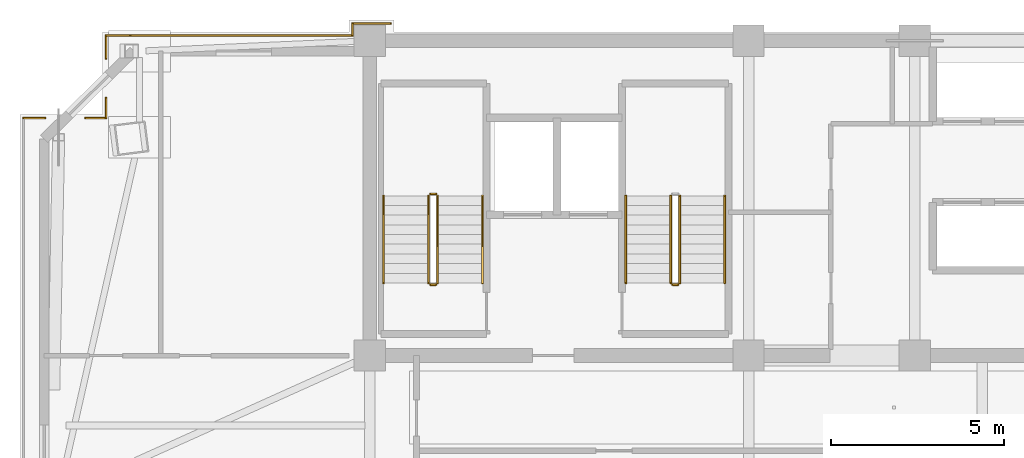
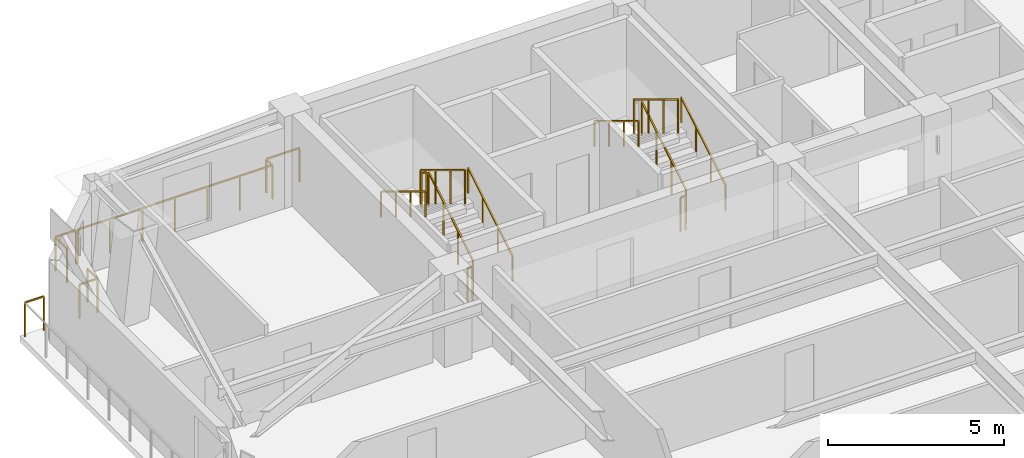
# One storey, part 12 of 14: 19 railings.
"""IFC4 building model written with IfcOpenShell, lengths in metres."""

from ifc_helpers import new_model, si_unit, direction, frame, origin, origin_2d, place, context, subcontext, project, spatial, rectangle, extrude, material, type_object, element, save


model = new_model("IFC4")

# Units and contexts
model_context = context("Model", 3, precision=1e-05, world=origin(), true_north=direction((0.0, 1.0)))
body_context = subcontext(model_context, "Body", "Model", "MODEL_VIEW")
ifc_project = project(units=[si_unit("LENGTHUNIT", "METRE"), si_unit("AREAUNIT", "SQUARE_METRE"), si_unit("VOLUMEUNIT", "CUBIC_METRE"), si_unit("PLANEANGLEUNIT", "RADIAN"), si_unit("MASSUNIT", "GRAM", prefix="KILO")], contexts=[model_context])

# Site, building, storey
site_placement = place(None, origin())
site = spatial("IfcSite", under=ifc_project, at=site_placement, CompositionType="ELEMENT")
building_placement = place(site_placement, origin())
building = spatial("IfcBuilding", under=site, at=building_placement, Name="Giltprow Tower", CompositionType="ELEMENT")
storey_placement = place(building_placement, frame((0.0, 0.0, 310.800048828125)))
storey = spatial("IfcBuildingStorey", under=building, at=storey_placement, Name="L80", CompositionType="ELEMENT", Elevation=310.800048828125)

# Railings
ifc_material = material(Name="Anodized bronze", Category="metal")
railing_type_1 = type_object("IfcRailingType", Name="RAIL-BALC-GUARD-1200", PredefinedType="BALUSTRADE", material=ifc_material)
railing_1_placement = place(storey_placement, frame((9.840087890625, 44.31494140625, 0.0)))
element("IfcRailing", 1, at=railing_1_placement, inside=storey, type_object=railing_type_1, Name="L80 Corner Apron Edge Balustrade 14", PredefinedType="BALUSTRADE", context=body_context, shape_type="SweptSolid", body=[
    extrude(rectangle(XDim=0.048095703125, YDim=0.048095703125, at=origin_2d()), frame((0.0, 0.0, 1.17578125), z_axis=(1.0, 0.0, 0.0), x_axis=(0.0, 1.0, 0.0)), (0.0, 0.0, 1.0), 0.6259765625),
    extrude(rectangle(XDim=0.0419921875, YDim=0.0419921875, at=origin_2d()), origin(), (0.0, 0.0, 1.0), 1.15185546875),
    extrude(rectangle(XDim=0.0419921875, YDim=0.0419921875, at=origin_2d()), frame((0.6259765625, 0.0, 0.0)), (0.0, 0.0, 1.0), 1.15185546875),
])
railing_2_placement = place(storey_placement, frame((11.636962890625, 44.31494140625, 0.0)))
element("IfcRailing", 2, at=railing_2_placement, inside=storey, type_object=railing_type_1, Name="L80 Corner Apron Edge Balustrade 15", PredefinedType="BALUSTRADE", context=body_context, shape_type="SweptSolid", body=[
    extrude(rectangle(XDim=0.048095703125, YDim=0.048095703125, at=origin_2d()), frame((0.0, 0.0, 1.17578125), z_axis=(1.0, 0.0, 0.0), x_axis=(0.0, 1.0, 0.0)), (0.0, 0.0, 1.0), 0.588134765625),
    extrude(rectangle(XDim=0.0419921875, YDim=0.0419921875, at=origin_2d()), origin(), (0.0, 0.0, 1.0), 1.15185546875),
    extrude(rectangle(XDim=0.0419921875, YDim=0.0419921875, at=origin_2d()), frame((0.588134765625, 0.0, 0.0)), (0.0, 0.0, 1.0), 1.15185546875),
])
railing_3_placement = place(storey_placement, frame((12.22509765625, 44.31494140625, 0.0)))
element("IfcRailing", 3, at=railing_3_placement, inside=storey, type_object=railing_type_1, Name="L80 Corner Apron Edge Balustrade 16", PredefinedType="BALUSTRADE", context=body_context, shape_type="SweptSolid", body=[
    extrude(rectangle(XDim=0.048095703125, YDim=0.048095703125, at=origin_2d()), frame((0.0, 0.0, 1.17578125), z_axis=(0.0, 1.0, 0.0), x_axis=(-1.0, 0.0, 0.0)), (0.0, 0.0, 1.0), 0.576171875),
    extrude(rectangle(XDim=0.0419921875, YDim=0.0419921875, at=origin_2d()), origin(), (0.0, 0.0, 1.0), 1.15185546875),
    extrude(rectangle(XDim=0.0419921875, YDim=0.0419921875, at=origin_2d()), frame((0.0, 0.576171875, 0.0)), (0.0, 0.0, 1.0), 1.15185546875),
])
railing_4_placement = place(storey_placement, frame((12.22509765625, 46.0400390625, 0.0)))
element("IfcRailing", 4, at=railing_4_placement, inside=storey, type_object=railing_type_1, Name="L80 Corner Apron Edge Balustrade 17", PredefinedType="BALUSTRADE", context=body_context, shape_type="SweptSolid", body=[
    extrude(rectangle(XDim=0.048095703125, YDim=0.048095703125, at=origin_2d()), frame((0.0, 0.0, 1.17578125), z_axis=(0.0, 1.0, 0.0), x_axis=(-1.0, 0.0, 0.0)), (0.0, 0.0, 1.0), 0.659912109375),
    extrude(rectangle(XDim=0.0419921875, YDim=0.0419921875, at=origin_2d()), origin(), (0.0, 0.0, 1.0), 1.15185546875),
    extrude(rectangle(XDim=0.0419921875, YDim=0.0419921875, at=origin_2d()), frame((0.0, 0.659912109375, 0.0)), (0.0, 0.0, 1.0), 1.15185546875),
])
railing_5_placement = place(storey_placement, frame((12.22509765625, 46.699951171875, 0.0)))
element("IfcRailing", 5, at=railing_5_placement, inside=storey, type_object=railing_type_1, Name="L80 Corner Apron Edge Balustrade 18", PredefinedType="BALUSTRADE", context=body_context, shape_type="SweptSolid", body=[
    extrude(rectangle(XDim=0.048095703125, YDim=0.048095703125, at=origin_2d()), frame((0.0, 0.0, 1.17578125), z_axis=(1.0, 0.0, 0.0), x_axis=(0.0, 1.0, 0.0)), (0.0, 0.0, 1.0), 0.6728515625),
    extrude(rectangle(XDim=0.0419921875, YDim=0.0419921875, at=origin_2d()), origin(), (0.0, 0.0, 1.0), 1.15185546875),
    extrude(rectangle(XDim=0.0419921875, YDim=0.0419921875, at=origin_2d()), frame((0.6728515625, 0.0, 0.0)), (0.0, 0.0, 1.0), 1.15185546875),
])
railing_6_placement = place(storey_placement, frame((12.947998046875, 46.699951171875, 0.0)))
element("IfcRailing", 6, at=railing_6_placement, inside=storey, type_object=railing_type_1, Name="L80 Corner Apron Edge Balustrade 19", PredefinedType="BALUSTRADE", context=body_context, shape_type="SweptSolid", body=[
    extrude(rectangle(XDim=0.048095703125, YDim=0.048095703125, at=origin_2d()), frame((0.0, 0.0, 1.17578125), z_axis=(1.0, 0.0, 0.0), x_axis=(0.0, 1.0, 0.0)), (0.0, 0.0, 1.0), 6.402099609375),
    extrude(rectangle(XDim=0.0419921875, YDim=0.0419921875, at=origin_2d()), origin(), (0.0, 0.0, 1.0), 1.15185546875),
    extrude(rectangle(XDim=0.0419921875, YDim=0.0419921875, at=origin_2d()), frame((1.06689453125, 0.0, 0.0)), (0.0, 0.0, 1.0), 1.15185546875),
    extrude(rectangle(XDim=0.0419921875, YDim=0.0419921875, at=origin_2d()), frame((2.134033203125, 0.0, 0.0)), (0.0, 0.0, 1.0), 1.15185546875),
    extrude(rectangle(XDim=0.0419921875, YDim=0.0419921875, at=origin_2d()), frame((3.201171875, 0.0, 0.0)), (0.0, 0.0, 1.0), 1.15185546875),
    extrude(rectangle(XDim=0.0419921875, YDim=0.0419921875, at=origin_2d()), frame((4.26806640625, 0.0, 0.0)), (0.0, 0.0, 1.0), 1.15185546875),
    extrude(rectangle(XDim=0.0419921875, YDim=0.0419921875, at=origin_2d()), frame((5.3349609375, 0.0, 0.0)), (0.0, 0.0, 1.0), 1.15185546875),
    extrude(rectangle(XDim=0.0419921875, YDim=0.0419921875, at=origin_2d()), frame((6.402099609375, 0.0, 0.0)), (0.0, 0.0, 1.0), 1.15185546875),
])
railing_7_placement = place(storey_placement, frame((19.35009765625, 46.699951171875, 0.0)))
element("IfcRailing", 7, at=railing_7_placement, inside=storey, type_object=railing_type_1, Name="L80 Corner Apron Edge Balustrade 20", PredefinedType="BALUSTRADE", context=body_context, shape_type="SweptSolid", body=[
    extrude(rectangle(XDim=0.048095703125, YDim=0.048095703125, at=origin_2d()), frame((0.0, 0.0, 1.17578125), z_axis=(0.0, 1.0, 0.0), x_axis=(-1.0, 0.0, 0.0)), (0.0, 0.0, 1.0), 0.35009765625),
    extrude(rectangle(XDim=0.0419921875, YDim=0.0419921875, at=origin_2d()), origin(), (0.0, 0.0, 1.0), 1.15185546875),
    extrude(rectangle(XDim=0.0419921875, YDim=0.0419921875, at=origin_2d()), frame((0.0, 0.35009765625, 0.0)), (0.0, 0.0, 1.0), 1.15185546875),
])
railing_8_placement = place(storey_placement, frame((19.35009765625, 47.050048828125, 0.0)))
element("IfcRailing", 8, at=railing_8_placement, inside=storey, type_object=railing_type_1, Name="L80 Corner Apron Edge Balustrade 21", PredefinedType="BALUSTRADE", context=body_context, shape_type="SweptSolid", body=[
    extrude(rectangle(XDim=0.048095703125, YDim=0.048095703125, at=origin_2d()), frame((0.0, 0.0, 1.17578125), z_axis=(1.0, 0.0, 0.0), x_axis=(0.0, 1.0, 0.0)), (0.0, 0.0, 1.0), 1.099853515625),
    extrude(rectangle(XDim=0.0419921875, YDim=0.0419921875, at=origin_2d()), origin(), (0.0, 0.0, 1.0), 1.15185546875),
    extrude(rectangle(XDim=0.0419921875, YDim=0.0419921875, at=origin_2d()), frame((1.099853515625, 0.0, 0.0)), (0.0, 0.0, 1.0), 1.15185546875),
])
railing_type_2 = type_object("IfcRailingType", Name="RAIL-STAIR-GUARD-1200", PredefinedType="GUARDRAIL", material=ifc_material)
railing_9_placement = place(storey_placement, frame((21.81005859375, 39.550048828125, 0.169921875)))
element("IfcRailing", 9, at=railing_9_placement, inside=storey, type_object=railing_type_2, Name="L80 ST-1 stair guard 1", PredefinedType="GUARDRAIL", context=body_context, shape_type="SweptSolid", body=[
    extrude(rectangle(XDim=0.048095703125, YDim=0.048095703125, at=origin_2d()), frame((0.0, 0.0, 1.17578125), z_axis=(0.0, 0.85478489116, 0.518982456201), x_axis=(-1.0, 0.0, 0.0)), (0.0, 0.0, 1.0), 2.9482421875),
    extrude(rectangle(XDim=0.0419921875, YDim=0.0419921875, at=origin_2d()), origin(), (0.0, 0.0, 1.0), 1.15185546875),
    extrude(rectangle(XDim=0.0419921875, YDim=0.0419921875, at=origin_2d()), frame((0.0, 0.840087890625, 0.510009765625)), (0.0, 0.0, 1.0), 1.15185546875),
    extrude(rectangle(XDim=0.0419921875, YDim=0.0419921875, at=origin_2d()), frame((0.0, 1.679931640625, 1.02001953125)), (0.0, 0.0, 1.0), 1.15185546875),
    extrude(rectangle(XDim=0.0419921875, YDim=0.0419921875, at=origin_2d()), frame((0.0, 2.52001953125, 1.530029296875)), (0.0, 0.0, 1.0), 1.15185546875),
])
railing_10_placement = place(storey_placement, frame((21.760009765625, 42.1201171875, 1.699951171875)))
element("IfcRailing", 10, at=railing_10_placement, inside=storey, type_object=railing_type_2, Name="L80 ST-1 stair guard 2", PredefinedType="GUARDRAIL", context=body_context, shape_type="SweptSolid", body=[
    extrude(rectangle(XDim=0.048095703125, YDim=0.048095703125, at=origin_2d()), frame((0.0, 0.0, 1.17578125), z_axis=(-1.0, 0.0, 0.0), x_axis=(0.0, -1.0, 0.0)), (0.0, 0.0, 1.0), 0.159912109375),
    extrude(rectangle(XDim=0.0419921875, YDim=0.0419921875, at=origin_2d()), origin(), (0.0, 0.0, 1.0), 1.15185546875),
    extrude(rectangle(XDim=0.0419921875, YDim=0.0419921875, at=origin_2d()), frame((-0.159912109375, 0.0, 0.0)), (0.0, 0.0, 1.0), 1.15185546875),
])
railing_11_placement = place(storey_placement, frame((21.550048828125, 42.070068359375, 1.869873046875)))
element("IfcRailing", 11, at=railing_11_placement, inside=storey, type_object=railing_type_2, Name="L80 ST-1 stair guard 3", PredefinedType="GUARDRAIL", context=body_context, shape_type="SweptSolid", body=[
    extrude(rectangle(XDim=0.048095703125, YDim=0.048095703125, at=origin_2d()), frame((0.0, 0.0, 1.17578125), z_axis=(0.0, -0.85478489116, 0.518982456201), x_axis=(1.0, 0.0, 0.0)), (0.0, 0.0, 1.0), 2.9482421875),
    extrude(rectangle(XDim=0.0419921875, YDim=0.0419921875, at=origin_2d()), origin(), (0.0, 0.0, 1.0), 1.15185546875),
    extrude(rectangle(XDim=0.0419921875, YDim=0.0419921875, at=origin_2d()), frame((0.0, -0.840087890625, 0.510009765625)), (0.0, 0.0, 1.0), 1.15185546875),
    extrude(rectangle(XDim=0.0419921875, YDim=0.0419921875, at=origin_2d()), frame((0.0, -1.679931640625, 1.02001953125)), (0.0, 0.0, 1.0), 1.15185546875),
    extrude(rectangle(XDim=0.0419921875, YDim=0.0419921875, at=origin_2d()), frame((0.0, -2.52001953125, 1.530029296875)), (0.0, 0.0, 1.0), 1.15185546875),
])
railing_12_placement = place(storey_placement, frame((21.760009765625, 39.5, 0.0)))
element("IfcRailing", 12, at=railing_12_placement, inside=storey, type_object=railing_type_2, Name="L80 ST-1 stair guard 4", PredefinedType="GUARDRAIL", context=body_context, shape_type="SweptSolid", body=[
    extrude(rectangle(XDim=0.048095703125, YDim=0.048095703125, at=origin_2d()), frame((0.0, 0.0, 1.17578125), z_axis=(-1.0, 0.0, 0.0), x_axis=(0.0, -1.0, 0.0)), (0.0, 0.0, 1.0), 0.159912109375),
    extrude(rectangle(XDim=0.0419921875, YDim=0.0419921875, at=origin_2d()), origin(), (0.0, 0.0, 1.0), 1.15185546875),
    extrude(rectangle(XDim=0.0419921875, YDim=0.0419921875, at=origin_2d()), frame((-0.159912109375, 0.0, 0.0)), (0.0, 0.0, 1.0), 1.15185546875),
])
railing_13_placement = place(storey_placement, frame((28.81005859375, 39.550048828125, 0.169921875)))
element("IfcRailing", 13, at=railing_13_placement, inside=storey, type_object=railing_type_2, Name="L80 ST-2 stair guard 1", PredefinedType="GUARDRAIL", context=body_context, shape_type="SweptSolid", body=[
    extrude(rectangle(XDim=0.048095703125, YDim=0.048095703125, at=origin_2d()), frame((0.0, 0.0, 1.17578125), z_axis=(0.0, 0.85478489116, 0.518982456201), x_axis=(-1.0, 0.0, 0.0)), (0.0, 0.0, 1.0), 2.9482421875),
    extrude(rectangle(XDim=0.0419921875, YDim=0.0419921875, at=origin_2d()), origin(), (0.0, 0.0, 1.0), 1.15185546875),
    extrude(rectangle(XDim=0.0419921875, YDim=0.0419921875, at=origin_2d()), frame((0.0, 0.840087890625, 0.510009765625)), (0.0, 0.0, 1.0), 1.15185546875),
    extrude(rectangle(XDim=0.0419921875, YDim=0.0419921875, at=origin_2d()), frame((0.0, 1.679931640625, 1.02001953125)), (0.0, 0.0, 1.0), 1.15185546875),
    extrude(rectangle(XDim=0.0419921875, YDim=0.0419921875, at=origin_2d()), frame((0.0, 2.52001953125, 1.530029296875)), (0.0, 0.0, 1.0), 1.15185546875),
])
railing_14_placement = place(storey_placement, frame((28.550048828125, 42.070068359375, 1.869873046875)))
element("IfcRailing", 14, at=railing_14_placement, inside=storey, type_object=railing_type_2, Name="L80 ST-2 stair guard 3", PredefinedType="GUARDRAIL", context=body_context, shape_type="SweptSolid", body=[
    extrude(rectangle(XDim=0.048095703125, YDim=0.048095703125, at=origin_2d()), frame((0.0, 0.0, 1.17578125), z_axis=(0.0, -0.85478489116, 0.518982456201), x_axis=(1.0, 0.0, 0.0)), (0.0, 0.0, 1.0), 2.9482421875),
    extrude(rectangle(XDim=0.0419921875, YDim=0.0419921875, at=origin_2d()), origin(), (0.0, 0.0, 1.0), 1.15185546875),
    extrude(rectangle(XDim=0.0419921875, YDim=0.0419921875, at=origin_2d()), frame((0.0, -0.840087890625, 0.510009765625)), (0.0, 0.0, 1.0), 1.15185546875),
    extrude(rectangle(XDim=0.0419921875, YDim=0.0419921875, at=origin_2d()), frame((0.0, -1.679931640625, 1.02001953125)), (0.0, 0.0, 1.0), 1.15185546875),
    extrude(rectangle(XDim=0.0419921875, YDim=0.0419921875, at=origin_2d()), frame((0.0, -2.52001953125, 1.530029296875)), (0.0, 0.0, 1.0), 1.15185546875),
])
railing_15_placement = place(storey_placement, frame((28.760009765625, 39.5, 0.0)))
element("IfcRailing", 15, at=railing_15_placement, inside=storey, type_object=railing_type_2, Name="L80 ST-2 stair guard 4", PredefinedType="GUARDRAIL", context=body_context, shape_type="SweptSolid", body=[
    extrude(rectangle(XDim=0.048095703125, YDim=0.048095703125, at=origin_2d()), frame((0.0, 0.0, 1.17578125), z_axis=(-1.0, 0.0, 0.0), x_axis=(0.0, -1.0, 0.0)), (0.0, 0.0, 1.0), 0.159912109375),
    extrude(rectangle(XDim=0.0419921875, YDim=0.0419921875, at=origin_2d()), origin(), (0.0, 0.0, 1.0), 1.15185546875),
    extrude(rectangle(XDim=0.0419921875, YDim=0.0419921875, at=origin_2d()), frame((-0.159912109375, 0.0, 0.0)), (0.0, 0.0, 1.0), 1.15185546875),
])
railing_type_3 = type_object("IfcRailingType", Name="RAIL-STAIR-HAND-900", PredefinedType="HANDRAIL", material=ifc_material)
railing_16_placement = place(storey_placement, frame((23.110107421875, 39.550048828125, 0.169921875)))
element("IfcRailing", 16, at=railing_16_placement, inside=storey, type_object=railing_type_3, Name="L80 ST-1 stair handrail 1", PredefinedType="HANDRAIL", context=body_context, shape_type="SweptSolid", body=[
    extrude(rectangle(XDim=0.048095703125, YDim=0.048095703125, at=origin_2d()), frame((0.0, 0.0, 0.8759765625), z_axis=(0.0, 0.85478489116, 0.518982456201), x_axis=(-1.0, 0.0, 0.0)), (0.0, 0.0, 1.0), 2.9482421875),
    extrude(rectangle(XDim=0.0419921875, YDim=0.0419921875, at=origin_2d()), origin(), (0.0, 0.0, 1.0), 0.851806640625),
    extrude(rectangle(XDim=0.0419921875, YDim=0.0419921875, at=origin_2d()), frame((0.0, 0.840087890625, 0.510009765625)), (0.0, 0.0, 1.0), 0.851806640625),
    extrude(rectangle(XDim=0.0419921875, YDim=0.0419921875, at=origin_2d()), frame((0.0, 1.679931640625, 1.02001953125)), (0.0, 0.0, 1.0), 0.851806640625),
    extrude(rectangle(XDim=0.0419921875, YDim=0.0419921875, at=origin_2d()), frame((0.0, 2.52001953125, 1.530029296875)), (0.0, 0.0, 1.0), 0.851806640625),
])
railing_17_placement = place(storey_placement, frame((20.25, 42.070068359375, 1.869873046875)))
element("IfcRailing", 17, at=railing_17_placement, inside=storey, type_object=railing_type_3, Name="L80 ST-1 stair handrail 2", PredefinedType="HANDRAIL", context=body_context, shape_type="SweptSolid", body=[
    extrude(rectangle(XDim=0.048095703125, YDim=0.048095703125, at=origin_2d()), frame((0.0, 0.0, 0.8759765625), z_axis=(0.0, -0.85478489116, 0.518982456201), x_axis=(1.0, 0.0, 0.0)), (0.0, 0.0, 1.0), 2.9482421875),
    extrude(rectangle(XDim=0.0419921875, YDim=0.0419921875, at=origin_2d()), origin(), (0.0, 0.0, 1.0), 0.851806640625),
    extrude(rectangle(XDim=0.0419921875, YDim=0.0419921875, at=origin_2d()), frame((0.0, -0.840087890625, 0.510009765625)), (0.0, 0.0, 1.0), 0.851806640625),
    extrude(rectangle(XDim=0.0419921875, YDim=0.0419921875, at=origin_2d()), frame((0.0, -1.679931640625, 1.02001953125)), (0.0, 0.0, 1.0), 0.851806640625),
    extrude(rectangle(XDim=0.0419921875, YDim=0.0419921875, at=origin_2d()), frame((0.0, -2.52001953125, 1.530029296875)), (0.0, 0.0, 1.0), 0.851806640625),
])
railing_18_placement = place(storey_placement, frame((30.110107421875, 39.550048828125, 0.169921875)))
element("IfcRailing", 18, at=railing_18_placement, inside=storey, type_object=railing_type_3, Name="L80 ST-2 stair handrail 1", PredefinedType="HANDRAIL", context=body_context, shape_type="SweptSolid", body=[
    extrude(rectangle(XDim=0.048095703125, YDim=0.048095703125, at=origin_2d()), frame((0.0, 0.0, 0.8759765625), z_axis=(0.0, 0.85478489116, 0.518982456201), x_axis=(-1.0, 0.0, 0.0)), (0.0, 0.0, 1.0), 2.9482421875),
    extrude(rectangle(XDim=0.0419921875, YDim=0.0419921875, at=origin_2d()), origin(), (0.0, 0.0, 1.0), 0.851806640625),
    extrude(rectangle(XDim=0.0419921875, YDim=0.0419921875, at=origin_2d()), frame((0.0, 0.840087890625, 0.510009765625)), (0.0, 0.0, 1.0), 0.851806640625),
    extrude(rectangle(XDim=0.0419921875, YDim=0.0419921875, at=origin_2d()), frame((0.0, 1.679931640625, 1.02001953125)), (0.0, 0.0, 1.0), 0.851806640625),
    extrude(rectangle(XDim=0.0419921875, YDim=0.0419921875, at=origin_2d()), frame((0.0, 2.52001953125, 1.530029296875)), (0.0, 0.0, 1.0), 0.851806640625),
])
railing_19_placement = place(storey_placement, frame((27.25, 42.070068359375, 1.869873046875)))
element("IfcRailing", 19, at=railing_19_placement, inside=storey, type_object=railing_type_3, Name="L80 ST-2 stair handrail 2", PredefinedType="HANDRAIL", context=body_context, shape_type="SweptSolid", body=[
    extrude(rectangle(XDim=0.048095703125, YDim=0.048095703125, at=origin_2d()), frame((0.0, 0.0, 0.8759765625), z_axis=(0.0, -0.85478489116, 0.518982456201), x_axis=(1.0, 0.0, 0.0)), (0.0, 0.0, 1.0), 2.9482421875),
    extrude(rectangle(XDim=0.0419921875, YDim=0.0419921875, at=origin_2d()), origin(), (0.0, 0.0, 1.0), 0.851806640625),
    extrude(rectangle(XDim=0.0419921875, YDim=0.0419921875, at=origin_2d()), frame((0.0, -0.840087890625, 0.510009765625)), (0.0, 0.0, 1.0), 0.851806640625),
    extrude(rectangle(XDim=0.0419921875, YDim=0.0419921875, at=origin_2d()), frame((0.0, -1.679931640625, 1.02001953125)), (0.0, 0.0, 1.0), 0.851806640625),
    extrude(rectangle(XDim=0.0419921875, YDim=0.0419921875, at=origin_2d()), frame((0.0, -2.52001953125, 1.530029296875)), (0.0, 0.0, 1.0), 0.851806640625),
])

save(model, "model.ifc")
